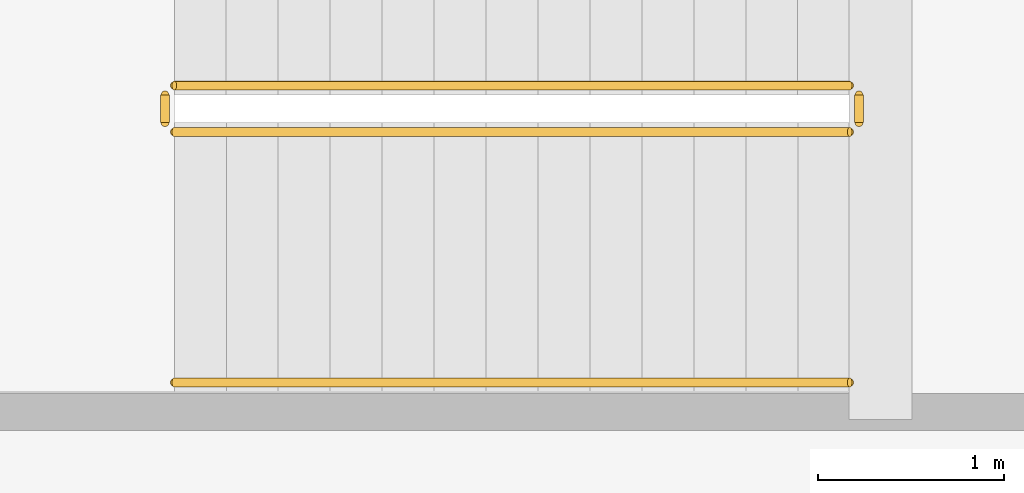
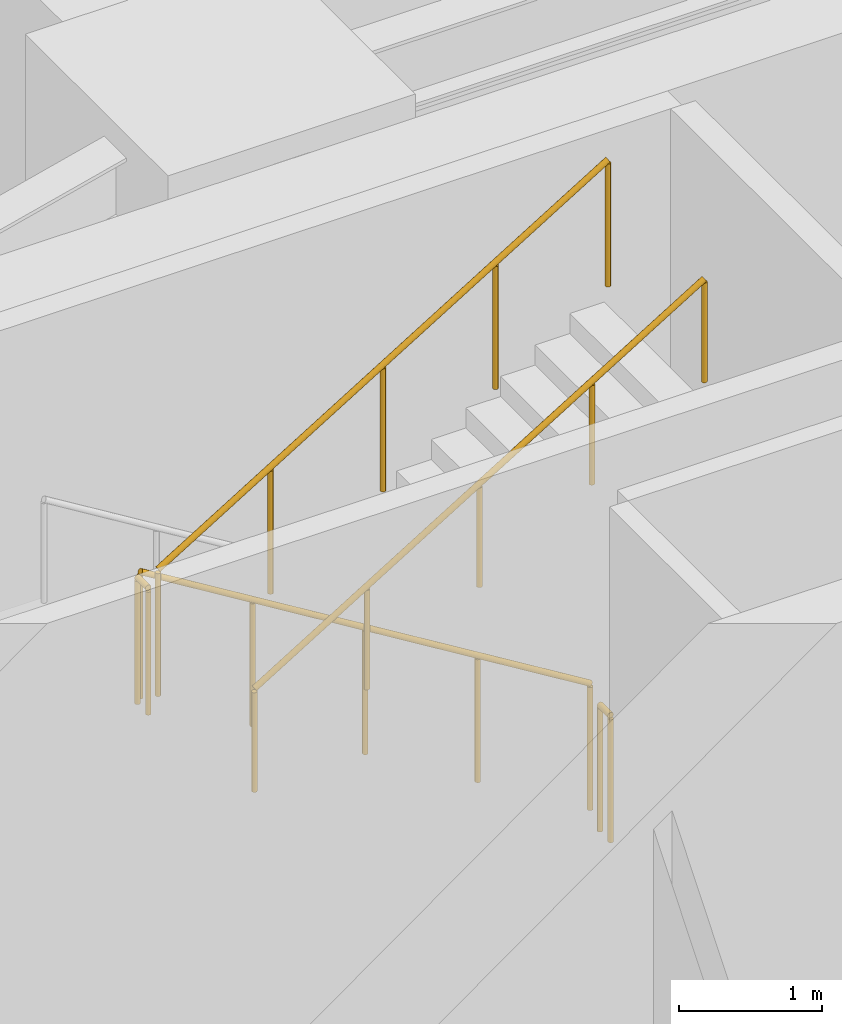
# One storey, part 13 of 14: 5 railings.
"""IFC4 building model written with IfcOpenShell, lengths in metres."""

from ifc_helpers import new_model, si_unit, direction, frame, origin, origin_2d, place, context, subcontext, project, spatial, circle, extrude, material, type_object, element, save


model = new_model("IFC4")

# Units and contexts
model_context = context("Model", 3, precision=1e-05, world=origin(), true_north=direction((0.0, 1.0)))
body_context = subcontext(model_context, "Body", "Model", "MODEL_VIEW")
ifc_project = project(units=[si_unit("LENGTHUNIT", "METRE"), si_unit("AREAUNIT", "SQUARE_METRE"), si_unit("VOLUMEUNIT", "CUBIC_METRE"), si_unit("PLANEANGLEUNIT", "RADIAN"), si_unit("MASSUNIT", "GRAM", prefix="KILO")], contexts=[model_context])

# Site, building, storey
site_placement = place(None, origin())
site = spatial("IfcSite", under=ifc_project, at=site_placement, CompositionType="ELEMENT")
building_placement = place(site_placement, origin())
building = spatial("IfcBuilding", under=site, at=building_placement, Name="Kinhvarn Gate Tower", CompositionType="ELEMENT")
storey_placement = place(building_placement, frame((0.0, 0.0, 173.25)))
storey = spatial("IfcBuildingStorey", under=building, at=storey_placement, Name="L46", CompositionType="ELEMENT", Elevation=173.25)

# Railings
ifc_material = material(Name="Steel S355", Category="steel")
railing_type_1 = type_object("IfcRailingType", Name="RL-ST-GRD", PredefinedType="BALUSTRADE", material=ifc_material)
railing_1_placement = place(storey_placement, frame((12.0, 34.300048828125, 0.17138671875)))
element("IfcRailing", 1, at=railing_1_placement, inside=storey, type_object=railing_type_1, Name="L46 ST2 stair guard 1", PredefinedType="BALUSTRADE", context=body_context, shape_type="SweptSolid", body=[
    extrude(circle(Radius=0.02392578125, at=origin_2d()), frame((0.0, 0.0, 1.076171875), z_axis=(-0.852850264322, 0.0, 0.5221555579), x_axis=(0.0, -1.0, 0.0)), (0.0, 0.0, 1.0), 4.267822265625),
    extrude(circle(Radius=0.02099609375, at=origin_2d()), origin(), (0.0, 0.0, 1.0), 1.052001953125),
    extrude(circle(Radius=0.02099609375, at=origin_2d()), frame((-0.909912109375, 0.0, 0.55712890625)), (0.0, 0.0, 1.0), 1.052001953125),
    extrude(circle(Radius=0.02099609375, at=origin_2d()), frame((-1.81982421875, 0.0, 1.1142578125)), (0.0, 0.0, 1.0), 1.052001953125),
    extrude(circle(Radius=0.02099609375, at=origin_2d()), frame((-2.72998046875, 0.0, 1.67138671875)), (0.0, 0.0, 1.0), 1.052001953125),
    extrude(circle(Radius=0.02099609375, at=origin_2d()), frame((-3.639892578125, 0.0, 2.228515625)), (0.0, 0.0, 1.0), 1.052001953125),
])
railing_2_placement = place(storey_placement, frame((8.31005859375, 34.25, 2.39990234375)))
element("IfcRailing", 2, at=railing_2_placement, inside=storey, type_object=railing_type_1, Name="L46 ST2 stair guard 2", PredefinedType="BALUSTRADE", context=body_context, shape_type="SweptSolid", body=[
    extrude(circle(Radius=0.02392578125, at=origin_2d()), frame((0.0, 0.0, 1.076171875), z_axis=(0.0, -1.0, 0.0), x_axis=(1.0, 0.0, 0.0)), (0.0, 0.0, 1.0), 0.14990234375),
    extrude(circle(Radius=0.02099609375, at=origin_2d()), origin(), (0.0, 0.0, 1.0), 1.052001953125),
    extrude(circle(Radius=0.02099609375, at=origin_2d()), frame((0.0, -0.14990234375, 0.0)), (0.0, 0.0, 1.0), 1.052001953125),
])
railing_3_placement = place(storey_placement, frame((8.360107421875, 34.050048828125, 2.571533203125)))
element("IfcRailing", 3, at=railing_3_placement, inside=storey, type_object=railing_type_1, Name="L46 ST2 stair guard 3", PredefinedType="BALUSTRADE", context=body_context, shape_type="SweptSolid", body=[
    extrude(circle(Radius=0.02392578125, at=origin_2d()), frame((0.0, 0.0, 1.076171875), z_axis=(0.852850264322, 0.0, 0.5221555579), x_axis=(0.0, 1.0, 0.0)), (0.0, 0.0, 1.0), 4.267822265625),
    extrude(circle(Radius=0.02099609375, at=origin_2d()), origin(), (0.0, 0.0, 1.0), 1.052001953125),
    extrude(circle(Radius=0.02099609375, at=origin_2d()), frame((0.909912109375, 0.0, 0.55712890625)), (0.0, 0.0, 1.0), 1.052001953125),
    extrude(circle(Radius=0.02099609375, at=origin_2d()), frame((1.81982421875, 0.0, 1.1142578125)), (0.0, 0.0, 1.0), 1.052001953125),
    extrude(circle(Radius=0.02099609375, at=origin_2d()), frame((2.72998046875, 0.0, 1.67138671875)), (0.0, 0.0, 1.0), 1.052001953125),
    extrude(circle(Radius=0.02099609375, at=origin_2d()), frame((3.639892578125, 0.0, 2.228515625)), (0.0, 0.0, 1.0), 1.052001953125),
])
railing_4_placement = place(storey_placement, frame((12.050048828125, 34.25, 0.0)))
element("IfcRailing", 4, at=railing_4_placement, inside=storey, type_object=railing_type_1, Name="L46 ST2 stair guard 4", PredefinedType="BALUSTRADE", context=body_context, shape_type="SweptSolid", body=[
    extrude(circle(Radius=0.02392578125, at=origin_2d()), frame((0.0, 0.0, 1.076171875), z_axis=(0.0, -1.0, 0.0), x_axis=(1.0, 0.0, 0.0)), (0.0, 0.0, 1.0), 0.14990234375),
    extrude(circle(Radius=0.02099609375, at=origin_2d()), origin(), (0.0, 0.0, 1.0), 1.052001953125),
    extrude(circle(Radius=0.02099609375, at=origin_2d()), frame((0.0, -0.14990234375, 0.0)), (0.0, 0.0, 1.0), 1.052001953125),
])
railing_type_2 = type_object("IfcRailingType", Name="RL-ST-HND", PredefinedType="HANDRAIL", material=ifc_material)
railing_5_placement = place(storey_placement, frame((8.360107421875, 32.699951171875, 2.571533203125)))
element("IfcRailing", 5, at=railing_5_placement, inside=storey, type_object=railing_type_2, Name="L46 ST2 stair handrail 2", PredefinedType="HANDRAIL", context=body_context, shape_type="SweptSolid", body=[
    extrude(circle(Radius=0.02392578125, at=origin_2d()), frame((0.0, 0.0, 0.8759765625), z_axis=(0.852850264322, 0.0, 0.5221555579), x_axis=(0.0, 1.0, 0.0)), (0.0, 0.0, 1.0), 4.267822265625),
    extrude(circle(Radius=0.02099609375, at=origin_2d()), origin(), (0.0, 0.0, 1.0), 0.851806640625),
    extrude(circle(Radius=0.02099609375, at=origin_2d()), frame((0.909912109375, 0.0, 0.55712890625)), (0.0, 0.0, 1.0), 0.851806640625),
    extrude(circle(Radius=0.02099609375, at=origin_2d()), frame((1.81982421875, 0.0, 1.1142578125)), (0.0, 0.0, 1.0), 0.851806640625),
    extrude(circle(Radius=0.02099609375, at=origin_2d()), frame((2.72998046875, 0.0, 1.67138671875)), (0.0, 0.0, 1.0), 0.851806640625),
    extrude(circle(Radius=0.02099609375, at=origin_2d()), frame((3.639892578125, 0.0, 2.228515625)), (0.0, 0.0, 1.0), 0.851806640625),
])

save(model, "model.ifc")
